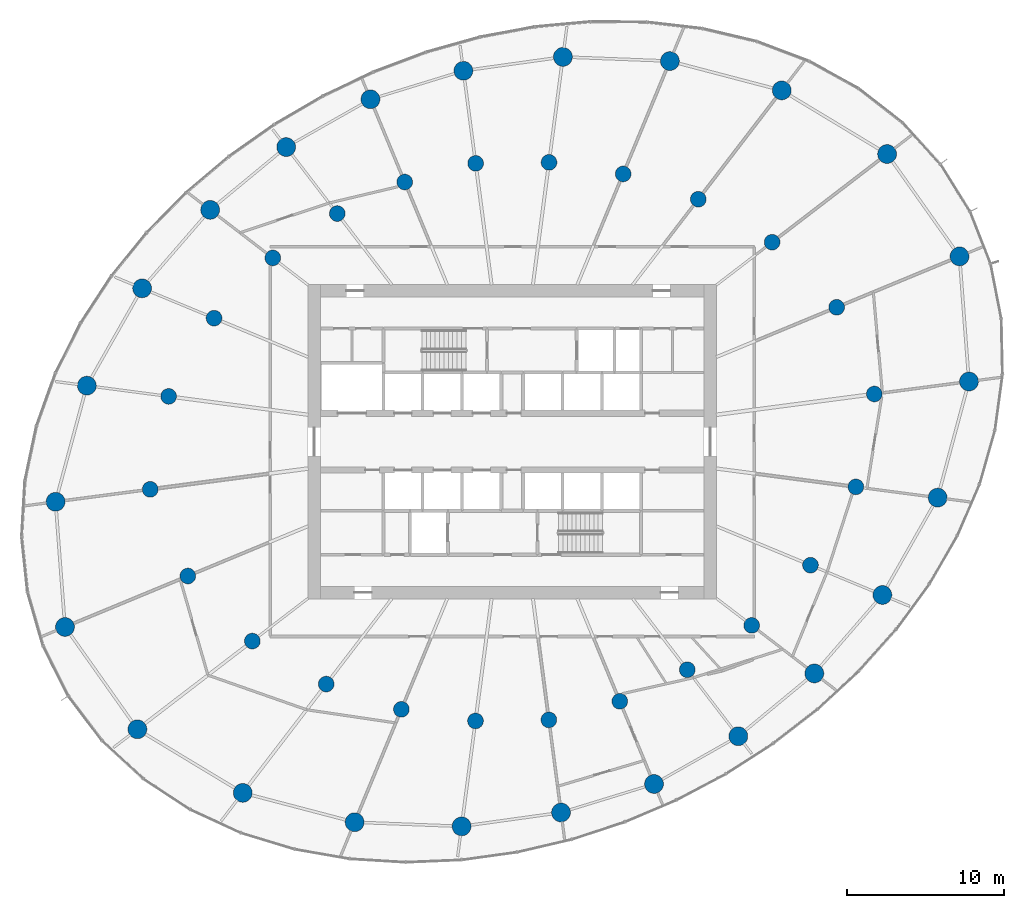
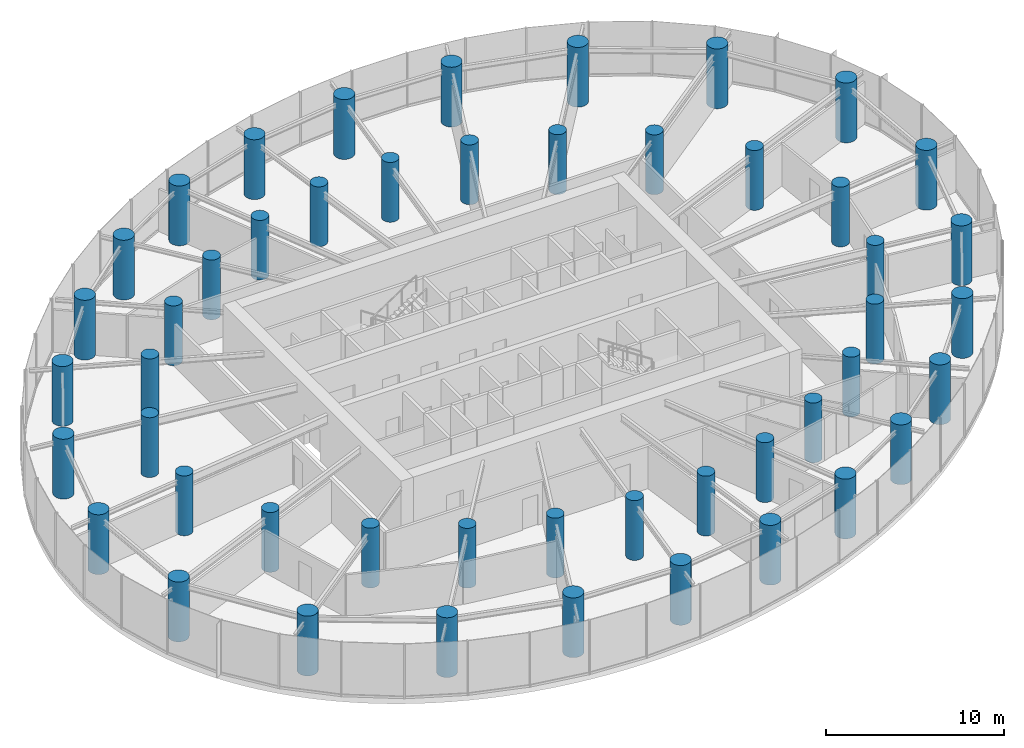
# One storey, part 1 of 17: 48 columns.
"""IFC4 building model written with IfcOpenShell, lengths in metres."""

from ifc_helpers import new_model, si_unit, direction, frame, origin, origin_2d, place, context, subcontext, project, spatial, circle, extrude, source, transform, mapped, material, material_profile, profile_set, type_object, element, save


model = new_model("IFC4")

# Units and contexts
model_context = context("Model", 3, precision=1e-05, world=origin(), true_north=direction((0.0, 1.0)))
body_context = subcontext(model_context, "Body", "Model", "MODEL_VIEW")
ifc_project = project(units=[si_unit("LENGTHUNIT", "METRE"), si_unit("AREAUNIT", "SQUARE_METRE"), si_unit("VOLUMEUNIT", "CUBIC_METRE"), si_unit("PLANEANGLEUNIT", "RADIAN"), si_unit("MASSUNIT", "GRAM", prefix="KILO")], contexts=[model_context])

# Site, building, storey
site_placement = place(None, origin())
site = spatial("IfcSite", under=ifc_project, at=site_placement, CompositionType="ELEMENT")
building_placement = place(site_placement, origin())
building = spatial("IfcBuilding", under=site, at=building_placement, Name="Spindrift Exchange Tower", CompositionType="ELEMENT")
storey_placement = place(building_placement, frame((0.0, 0.0, 100.300048828125)))
storey = spatial("IfcBuildingStorey", under=building, at=storey_placement, Name="L23", CompositionType="ELEMENT", Elevation=100.300048828125)

# Columns
ifc_material = material(Name="Concrete 65 MPa", Category="concrete")
ifc_material_profile_1 = material_profile(ifc_material, circle(Radius=0.5, at=origin_2d()), Name="RC D1000")
ifc_profile_set_1 = profile_set([ifc_material_profile_1], Name="Concrete 65 MPa")
column_type_1 = type_object("IfcColumnType", Name="RC Inner Column D1000 Concrete 65 MPa", PredefinedType="COLUMN", material=ifc_profile_set_1)
shared_shape_1 = source(origin(), body_context, "Body", "SweptSolid", [
    extrude(circle(Radius=0.5, at=origin_2d()), origin(), (0.0, 0.0, 1.0), 4.099853515625),
])
for number, where, z_axis, x_axis, name in (
    (1, (75.033935546875, 51.032470703125, 0.0), (0.0, 0.0, 1.0), (1.0, 0.0, 0.0), "Inner column Q2-01 L23"),
    (2, (72.639404296875, 56.549072265625, 0.0), (0.0, 0.0, 1.0), (1.0, 0.0, 0.0), "Inner column Q2-02 L23"),
    (3, (68.534912109375, 60.6875, 0.0), (0.0, 0.0, 1.0), (1.0, 0.0, 0.0), "Inner column Q2-03 L23"),
    (4, (63.835205078125, 63.423828125, 0.0), (0.0, 0.0, 1.0), (1.0, 0.0, 0.0), "Inner column Q2-04 L23"),
    (5, (59.0546875, 65.03125, 0.0), (0.0, 0.0, 1.0), (1.0, 0.0, 0.0), "Inner column Q2-05 L23"),
    (6, (54.339111328125, 65.767333984375, 0.0), (0.0, 0.0, 1.0), (1.0, 0.0, 0.0), "Inner column Q2-06 L23"),
    (7, (49.669189453125, 65.703125, 0.0), (0.0, 0.0, 1.0), (1.0, 0.0, 0.0), "Inner column Q2-07 L23"),
    (8, (45.158203125, 64.517578125, 0.0), (0.0, 0.0, 1.0), (1.0, 0.0, 0.0), "Inner column Q2-08 L23"),
    (9, (40.8662109375, 62.510009765625, 0.0), (0.0, 0.0, 1.0), (1.0, 0.0, 0.0), "Inner column Q2-09 L23"),
    (10, (36.767578125, 59.688232421875, 0.0), (0.0, 0.0, 1.0), (1.0, 0.0, 0.0), "Inner column Q2-10 L23"),
    (11, (33.027587890625, 55.858642578125, 0.0), (0.0, 0.0, 1.0), (1.0, 0.0, 0.0), "Inner column Q2-11 L23"),
    (12, (30.13671875, 50.87841796875, 0.0), (0.0, 0.0, 1.0), (1.0, 0.0, 0.0), "Inner column Q2-12 L23"),
    (13, (28.966064453125, 44.967529296875, 0.0), (0.0, 0.0, 1.0), (1.0, 0.0, 0.0), "Inner column Q2-13 L23"),
    (14, (31.360595703125, 39.450927734375, 0.0), (0.0, 0.0, 1.0), (1.0, 0.0, 0.0), "Inner column Q2-14 L23"),
    (15, (35.465087890625, 35.3125, 0.0), (0.0, 0.0, 1.0), (1.0, 0.0, 0.0), "Inner column Q2-15 L23"),
    (16, (40.164794921875, 32.576171875, 0.0), (0.0, 0.0, 1.0), (1.0, 0.0, 0.0), "Inner column Q2-16 L23"),
    (17, (44.9453125, 30.96875, 0.0), (0.0, 0.0, 1.0), (1.0, 0.0, 0.0), "Inner column Q2-17 L23"),
    (18, (49.660888671875, 30.232666015625, 0.0), (0.0, 0.0, 1.0), (1.0, 0.0, 0.0), "Inner column Q2-18 L23"),
    (19, (54.330810546875, 30.296875, 0.0), (0.0, 0.0, 1.0), (1.0, 0.0, 0.0), "Inner column Q2-19 L23"),
    (20, (58.841796875, 31.482421875, 0.0), (0.0, 0.0, 1.0), (1.0, 0.0, 0.0), "Inner column Q2-20 L23"),
    (21, (63.1337890625, 33.489990234375, 0.0), (0.0, 0.0, 1.0), (1.0, 0.0, 0.0), "Inner column Q2-21 L23"),
    (22, (67.232421875, 36.311767578125, 0.0), (0.0, 0.0, 1.0), (1.0, 0.0, 0.0), "Inner column Q2-22 L23"),
    (23, (70.972412109375, 40.141357421875, 0.0), (0.0, 0.0, 1.0), (1.0, 0.0, 0.0), "Inner column Q2-23 L23"),
    (24, (73.86328125, 45.12158203125, 0.0), (0.0, 0.0, 1.0), (1.0, 0.0, 0.0), "Inner column Q2-24 L23"),
):
    element("IfcColumn", number, at=place(storey_placement, frame(where, z_axis=z_axis, x_axis=x_axis)), inside=storey, type_object=column_type_1, Name=name, PredefinedType="COLUMN", context=body_context, shape_type="MappedRepresentation", body=[
        mapped(shared_shape_1, transform((0.0, 0.0, 0.0), scale=1.0)),
    ])
ifc_material_profile_2 = material_profile(ifc_material, circle(Radius=0.60009765625, at=origin_2d()), Name="RC D1200")
ifc_profile_set_2 = profile_set([ifc_material_profile_2], Name="Concrete 65 MPa")
column_type_2 = type_object("IfcColumnType", Name="RC Perimeter Column D1200 Concrete 65 MPa", PredefinedType="COLUMN", material=ifc_profile_set_2)
shared_shape_2 = source(origin(), body_context, "Body", "SweptSolid", [
    extrude(circle(Radius=0.60009765625, at=origin_2d()), origin(), (0.0, 0.0, 1.0), 4.099853515625),
])
for number, where, z_axis, x_axis, name in (
    (25, (81.056396484375, 51.8251953125, 0.0), (0.0, 0.0, 1.0), (1.0, 0.0, 0.0), "Perimeter column P2-01 L23"),
    (26, (80.45556640625, 59.78662109375, 0.0), (0.0, 0.0, 1.0), (1.0, 0.0, 0.0), "Perimeter column P2-02 L23"),
    (27, (75.84814453125, 66.29931640625, 0.0), (0.0, 0.0, 1.0), (1.0, 0.0, 0.0), "Perimeter column P2-03 L23"),
    (28, (69.145751953125, 70.3447265625, 0.0), (0.0, 0.0, 1.0), (1.0, 0.0, 0.0), "Perimeter column P2-04 L23"),
    (29, (62.029052734375, 72.212158203125, 0.0), (0.0, 0.0, 1.0), (1.0, 0.0, 0.0), "Perimeter column P2-05 L23"),
    (30, (55.222412109375, 72.476806640625, 0.0), (0.0, 0.0, 1.0), (1.0, 0.0, 0.0), "Perimeter column P2-06 L23"),
    (31, (48.8935546875, 71.595458984375, 0.0), (0.0, 0.0, 1.0), (1.0, 0.0, 0.0), "Perimeter column P2-07 L23"),
    (32, (42.978271484375, 69.780517578125, 0.0), (0.0, 0.0, 1.0), (1.0, 0.0, 0.0), "Perimeter column P2-08 L23"),
    (33, (37.617919921875, 66.742919921875, 0.0), (0.0, 0.0, 1.0), (1.0, 0.0, 0.0), "Perimeter column P2-09 L23"),
    (34, (32.7802734375, 62.747802734375, 0.0), (0.0, 0.0, 1.0), (1.0, 0.0, 0.0), "Perimeter column P2-10 L23"),
    (35, (28.4521484375, 57.75390625, 0.0), (0.0, 0.0, 1.0), (1.0, 0.0, 0.0), "Perimeter column P2-11 L23"),
    (36, (24.935546875, 51.56298828125, 0.0), (0.0, 0.0, 1.0), (1.0, 0.0, 0.0), "Perimeter column P2-12 L23"),
    (37, (22.943603515625, 44.1748046875, 0.0), (0.0, 0.0, 1.0), (1.0, 0.0, 0.0), "Perimeter column P2-13 L23"),
    (38, (23.54443359375, 36.21337890625, 0.0), (0.0, 0.0, 1.0), (1.0, 0.0, 0.0), "Perimeter column P2-14 L23"),
    (39, (28.15185546875, 29.70068359375, 0.0), (0.0, 0.0, 1.0), (1.0, 0.0, 0.0), "Perimeter column P2-15 L23"),
    (40, (34.854248046875, 25.6552734375, 0.0), (0.0, 0.0, 1.0), (1.0, 0.0, 0.0), "Perimeter column P2-16 L23"),
    (41, (41.970947265625, 23.787841796875, 0.0), (0.0, 0.0, 1.0), (1.0, 0.0, 0.0), "Perimeter column P2-17 L23"),
    (42, (48.777587890625, 23.523193359375, 0.0), (0.0, 0.0, 1.0), (1.0, 0.0, 0.0), "Perimeter column P2-18 L23"),
    (43, (55.1064453125, 24.404541015625, 0.0), (0.0, 0.0, 1.0), (1.0, 0.0, 0.0), "Perimeter column P2-19 L23"),
    (44, (61.021728515625, 26.219482421875, 0.0), (0.0, 0.0, 1.0), (1.0, 0.0, 0.0), "Perimeter column P2-20 L23"),
    (45, (66.382080078125, 29.257080078125, 0.0), (0.0, 0.0, 1.0), (1.0, 0.0, 0.0), "Perimeter column P2-21 L23"),
    (46, (71.2197265625, 33.252197265625, 0.0), (0.0, 0.0, 1.0), (1.0, 0.0, 0.0), "Perimeter column P2-22 L23"),
    (47, (75.5478515625, 38.24609375, 0.0), (0.0, 0.0, 1.0), (1.0, 0.0, 0.0), "Perimeter column P2-23 L23"),
    (48, (79.064453125, 44.43701171875, 0.0), (0.0, 0.0, 1.0), (1.0, 0.0, 0.0), "Perimeter column P2-24 L23"),
):
    element("IfcColumn", number, at=place(storey_placement, frame(where, z_axis=z_axis, x_axis=x_axis)), inside=storey, type_object=column_type_2, Name=name, PredefinedType="COLUMN", context=body_context, shape_type="MappedRepresentation", body=[
        mapped(shared_shape_2, transform((0.0, 0.0, 0.0), scale=1.0)),
    ])

save(model, "model.ifc")
